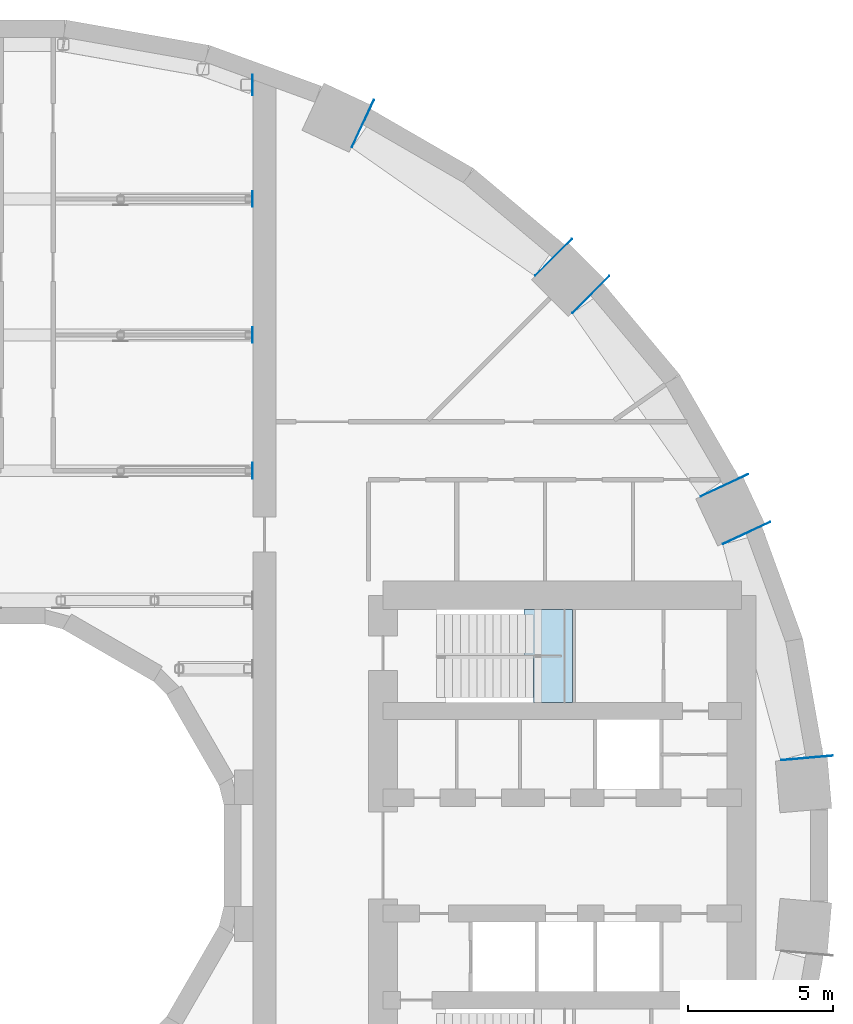
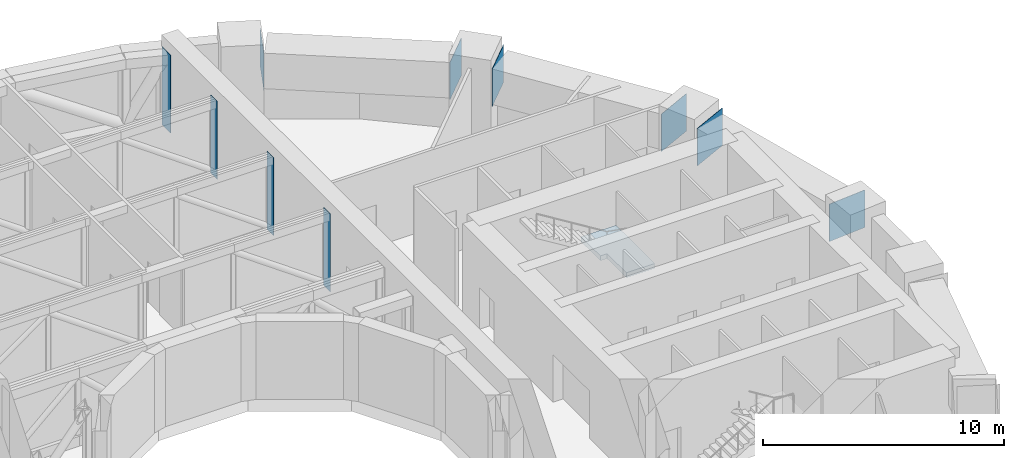
# One storey, part 12 of 21: 10 plates, 1 slab, 1 element without a shape of its own.
"""IFC4 building model written with IfcOpenShell, lengths in metres."""

from ifc_helpers import new_model, si_unit, direction, frame, origin, place, context, subcontext, project, spatial, polyline, outline, extrude, material, layer, layer_set, type_object, element, aggregate, save


model = new_model("IFC4")

# Units and contexts
model_context = context("Model", 3, precision=1e-05, world=origin(), true_north=direction((0.0, 1.0)))
body_context = subcontext(model_context, "Body", "Model", "MODEL_VIEW")
ifc_project = project(units=[si_unit("LENGTHUNIT", "METRE"), si_unit("AREAUNIT", "SQUARE_METRE"), si_unit("VOLUMEUNIT", "CUBIC_METRE"), si_unit("PLANEANGLEUNIT", "RADIAN"), si_unit("MASSUNIT", "GRAM", prefix="KILO")], contexts=[model_context])

# Site, building, storey
site_placement = place(None, origin())
site = spatial("IfcSite", under=ifc_project, at=site_placement, CompositionType="ELEMENT")
building_placement = place(site_placement, origin())
building = spatial("IfcBuilding", under=site, at=building_placement, Name="Saqina Gate Tower", CompositionType="ELEMENT")
storey_placement = place(building_placement, frame((0.0, 0.0, 21.800048828125)))
storey = spatial("IfcBuildingStorey", under=building, at=storey_placement, Name="L05", CompositionType="ELEMENT", Elevation=21.800048828125)

# Stair, slab
ifc_material_1 = material(Name="Concrete C40/50", Category="concrete")
stair_type = type_object("IfcStairType", Name="EXIT STAIR", PredefinedType="HALF_TURN_STAIR", material=ifc_material_1)
stair_placement = place(storey_placement, origin())
stair = element("IfcStair", 1, at=stair_placement, inside=storey, type_object=stair_type, Name="EXIT STAIR 1", PredefinedType="HALF_TURN_STAIR")
ifc_material_2 = material(Name="Concrete C40/50", Category="concrete")
ifc_layer_1 = layer(ifc_material_2, 0.25)
ifc_layer_set_1 = layer_set([ifc_layer_1], Name="Concrete C40/50")
slab_type = type_object("IfcSlabType", Name="EXIT STAIR LANDING", PredefinedType="LANDING", material=ifc_layer_set_1)
slab_placement = place(storey_placement, frame((0.0, 0.0, 2.0)))
slab = element("IfcSlab", 2, at=slab_placement, type_object=slab_type, Name="EXIT STAIR 1 LANDING 1", PredefinedType="LANDING", context=body_context, shape_type="SweptSolid", body=[
    extrude(outline(polyline([(20.06005859375, 8.5), (20.06005859375, 5.300048828125), (18.705078125, 5.300048828125), (18.705078125, 6.89990234375), (18.384765625, 6.89990234375), (18.384765625, 8.5), (18.705078125, 8.5), (18.7099609375, 8.5), (20.06005859375, 8.5)])), origin(), (0.0, 0.0, 1.0), 0.25),
])
aggregate(stair, [slab])

# Plates
ifc_material_3 = material(Name="Steel S460", Category="steel")
ifc_layer_2 = layer(ifc_material_3, 0.01806640625)
ifc_layer_set_2 = layer_set([ifc_layer_2], Name="Steel S460")
plate_type = type_object("IfcPlateType", Name="STR-BEARING PLATE", PredefinedType="USERDEFINED", material=ifc_layer_set_2)
plate_1_placement = place(storey_placement, origin())
element("IfcPlate", 3, at=plate_1_placement, inside=storey, type_object=plate_type, Name="BEARING PLATE L05 02", ObjectType="EMBED PLATE", PredefinedType="USERDEFINED", context=body_context, shape_type="SweptSolid", body=[
    extrude(outline(polyline([(9.0, 26.296142578125), (9.0, 26.996337890625), (8.98193359375, 26.996337890625), (8.98193359375, 26.296142578125), (9.0, 26.296142578125)])), origin(), (0.0, 0.0, 1.0), 3.949951171875),
])
plate_2_placement = place(storey_placement, origin())
element("IfcPlate", 4, at=plate_2_placement, inside=storey, type_object=plate_type, Name="BEARING PLATE L05 10", ObjectType="EMBED PLATE", PredefinedType="USERDEFINED", context=body_context, shape_type="SweptSolid", body=[
    extrude(outline(polyline([(9.0, 13.02490234375), (9.0, 13.574951171875), (8.98193359375, 13.574951171875), (8.98193359375, 13.02490234375), (9.0, 13.02490234375)])), origin(), (0.0, 0.0, 1.0), 3.949951171875),
])
plate_3_placement = place(storey_placement, origin())
element("IfcPlate", 5, at=plate_3_placement, inside=storey, type_object=plate_type, Name="BEARING PLATE L05 14", ObjectType="EMBED PLATE", PredefinedType="USERDEFINED", context=body_context, shape_type="SweptSolid", body=[
    extrude(outline(polyline([(9.0, 17.72509765625), (9.0, 18.27490234375), (8.98193359375, 18.27490234375), (8.98193359375, 17.72509765625), (9.0, 17.72509765625)])), origin(), (0.0, 0.0, 1.0), 3.949951171875),
])
plate_4_placement = place(storey_placement, origin())
element("IfcPlate", 6, at=plate_4_placement, inside=storey, type_object=plate_type, Name="BEARING PLATE L05 18", ObjectType="EMBED PLATE", PredefinedType="USERDEFINED", context=body_context, shape_type="SweptSolid", body=[
    extrude(outline(polyline([(9.0, 22.425048828125), (9.0, 22.97509765625), (8.98193359375, 22.97509765625), (8.98193359375, 22.425048828125), (9.0, 22.425048828125)])), origin(), (0.0, 0.0, 1.0), 3.949951171875),
])
plate_5_placement = place(storey_placement, frame((0.0, 0.0, 2.050048828125)))
element("IfcPlate", 7, at=plate_5_placement, inside=storey, type_object=plate_type, Name="BEARING PLATE L05 GIRDER 1 W", ObjectType="EMBED PLATE", PredefinedType="USERDEFINED", context=body_context, shape_type="SweptSolid", body=[
    extrude(outline(polyline([(29.0556640625, 3.463623046875), (27.262451171875, 3.306640625), (27.26416015625, 3.288818359375), (29.05712890625, 3.445556640625), (29.0556640625, 3.463623046875)])), origin(), (0.0, 0.0, 1.0), 1.89990234375),
])
plate_6_placement = place(storey_placement, frame((0.0, 0.0, 2.050048828125)))
element("IfcPlate", 8, at=plate_6_placement, inside=storey, type_object=plate_type, Name="BEARING PLATE L05 GIRDER 1 E", ObjectType="EMBED PLATE", PredefinedType="USERDEFINED", context=body_context, shape_type="SweptSolid", body=[
    extrude(outline(polyline([(25.263427734375, 10.767578125), (26.894775390625, 11.5283203125), (26.88720703125, 11.544677734375), (25.255859375, 10.783935546875), (25.263427734375, 10.767578125)])), origin(), (0.0, 0.0, 1.0), 1.89990234375),
])
plate_7_placement = place(storey_placement, frame((0.0, 0.0, 2.050048828125)))
element("IfcPlate", 9, at=plate_7_placement, inside=storey, type_object=plate_type, Name="BEARING PLATE L05 GIRDER 2 W", ObjectType="EMBED PLATE", PredefinedType="USERDEFINED", context=body_context, shape_type="SweptSolid", body=[
    extrude(outline(polyline([(26.118896484375, 13.1923828125), (24.487548828125, 12.431640625), (24.4951171875, 12.415283203125), (26.12646484375, 13.176025390625), (26.118896484375, 13.1923828125)])), origin(), (0.0, 0.0, 1.0), 1.89990234375),
])
plate_8_placement = place(storey_placement, frame((0.0, 0.0, 2.050048828125)))
element("IfcPlate", 10, at=plate_8_placement, inside=storey, type_object=plate_type, Name="BEARING PLATE L05 GIRDER 2 E", ObjectType="EMBED PLATE", PredefinedType="USERDEFINED", context=body_context, shape_type="SweptSolid", body=[
    extrude(outline(polyline([(20.05712890625, 18.7587890625), (21.329833984375, 20.031494140625), (21.317138671875, 20.04443359375), (20.04443359375, 18.771484375), (20.05712890625, 18.7587890625)])), origin(), (0.0, 0.0, 1.0), 1.89990234375),
])
plate_9_placement = place(storey_placement, frame((0.0, 0.0, 2.050048828125)))
element("IfcPlate", 11, at=plate_9_placement, inside=storey, type_object=plate_type, Name="BEARING PLATE L05 GIRDER 3 W", ObjectType="EMBED PLATE", PredefinedType="USERDEFINED", context=body_context, shape_type="SweptSolid", body=[
    extrude(outline(polyline([(20.031494140625, 21.329833984375), (18.7587890625, 20.05712890625), (18.771484375, 20.04443359375), (20.04443359375, 21.317138671875), (20.031494140625, 21.329833984375)])), origin(), (0.0, 0.0, 1.0), 1.89990234375),
])
plate_10_placement = place(storey_placement, frame((0.0, 0.0, 2.050048828125)))
element("IfcPlate", 12, at=plate_10_placement, inside=storey, type_object=plate_type, Name="BEARING PLATE L05 GIRDER 3 E", ObjectType="EMBED PLATE", PredefinedType="USERDEFINED", context=body_context, shape_type="SweptSolid", body=[
    extrude(outline(polyline([(12.431640625, 24.487548828125), (13.1923828125, 26.118896484375), (13.176025390625, 26.12646484375), (12.415283203125, 24.4951171875), (12.431640625, 24.487548828125)])), origin(), (0.0, 0.0, 1.0), 1.89990234375),
])

save(model, "model.ifc")
